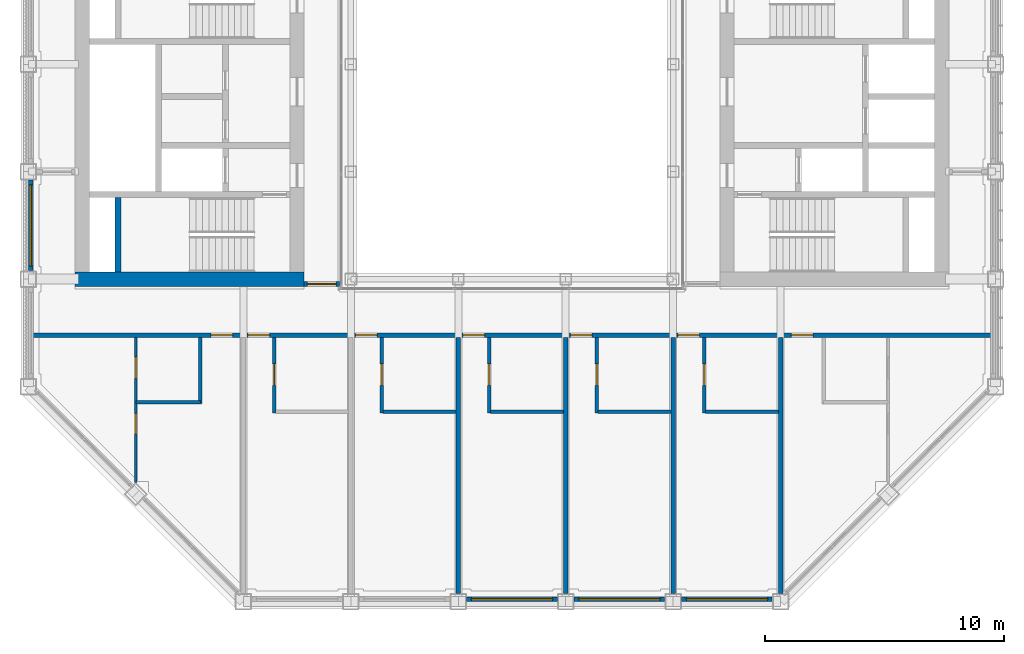
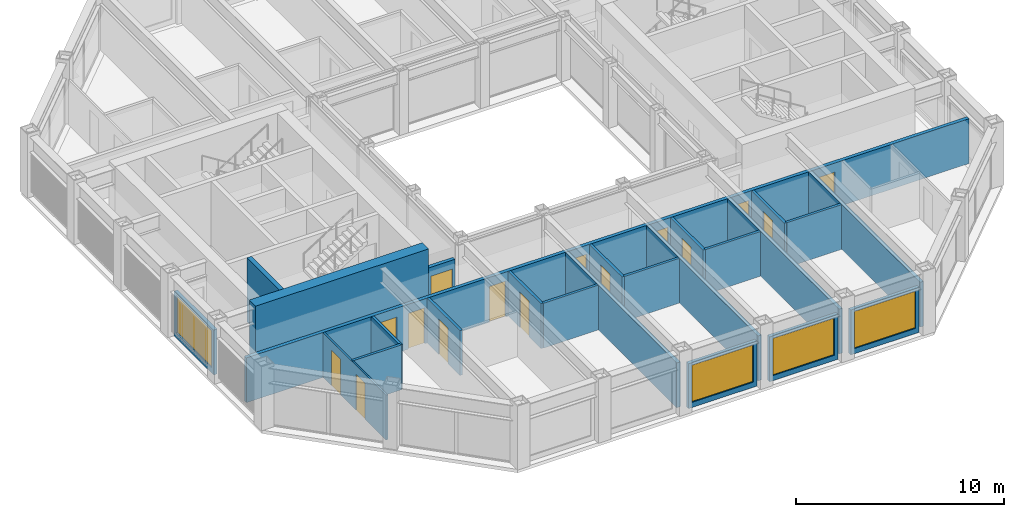
# One storey, part 9 of 18: 24 walls, 15 doors, 4 windows, 19 openings.
"""IFC4 building model written with IfcOpenShell, lengths in metres."""

from ifc_helpers import new_model, si_unit, direction, frame, frame_2d, origin, place, context, subcontext, project, spatial, rectangle, extrude, material, layer, layer_set, type_object, element, fill, save


model = new_model("IFC4")

# Units and contexts
model_context = context("Model", 3, precision=1e-05, world=origin(), true_north=direction((0.0, 1.0)))
body_context = subcontext(model_context, "Body", "Model", "MODEL_VIEW")
ifc_project = project(units=[si_unit("LENGTHUNIT", "METRE"), si_unit("AREAUNIT", "SQUARE_METRE"), si_unit("VOLUMEUNIT", "CUBIC_METRE"), si_unit("PLANEANGLEUNIT", "RADIAN"), si_unit("MASSUNIT", "GRAM", prefix="KILO")], contexts=[model_context])

# Site, building, storey
site_placement = place(None, origin())
site = spatial("IfcSite", under=ifc_project, at=site_placement, CompositionType="ELEMENT")
building_placement = place(site_placement, origin())
building = spatial("IfcBuilding", under=site, at=building_placement, Name="Msasa Ring Tower", CompositionType="ELEMENT")
storey_placement = place(building_placement, frame((0.0, 0.0, 204.550048828125)))
storey = spatial("IfcBuildingStorey", under=building, at=storey_placement, Name="L53", CompositionType="ELEMENT", Elevation=204.550048828125)

# Walls
ifc_material_1 = material(Name="Concrete C60/75", Category="concrete")
ifc_layer_1 = layer(ifc_material_1, 0.60009765625)
ifc_layer_set_1 = layer_set([ifc_layer_1], Name="CW3 CORE WALL 600")
wall_type_1 = type_object("IfcWallType", Name="CW3 CORE WALL 600", PredefinedType="SHEAR", material=ifc_layer_set_1)
wall_1_placement = place(storey_placement, frame((-8.699951171875, -6.75, 0.0), z_axis=(0.0, 0.0, 1.0), x_axis=(-1.0, 0.0, 0.0)))
element("IfcWall", 1, at=wall_1_placement, inside=storey, type_object=wall_type_1, Name="W core wall S L53", PredefinedType="SHEAR", context=body_context, shape_type="SweptSolid", body=[
    extrude(rectangle(XDim=9.60009765625, YDim=0.60009765625, at=frame_2d((4.800048828125, 0.0))), origin(), (0.0, 0.0, 1.0), 3.75),
])
ifc_material_2 = material(Name="Concrete C60/75", Category="concrete")
ifc_layer_2 = layer(ifc_material_2, 0.25)
ifc_layer_set_2 = layer_set([ifc_layer_2], Name="CW4 CORE INNER WALL 250")
wall_type_2 = type_object("IfcWallType", Name="CW4 CORE INNER WALL 250", PredefinedType="SHEAR", material=ifc_layer_set_2)
wall_2_placement = place(storey_placement, frame((-16.5, -6.449951171875, 0.0), z_axis=(0.0, 0.0, 1.0), x_axis=(0.0, 1.0, 0.0)))
element("IfcWall", 2, at=wall_2_placement, inside=storey, type_object=wall_type_2, Name="W core wall RISERA L53", PredefinedType="SHEAR", context=body_context, shape_type="SweptSolid", body=[
    extrude(rectangle(XDim=3.125, YDim=0.25, at=frame_2d((1.5625, 0.0))), origin(), (0.0, 0.0, 1.0), 3.75),
])

# Wall, opening, window
ifc_material_3 = material(Name="Terracotta rainscreen on blockwork", Category="masonry")
ifc_layer_3 = layer(ifc_material_3, 0.199951171875)
ifc_layer_set_3 = layer_set([ifc_layer_3], Name="FW1 TERRACOTTA-LINED INFILL BAY WALL 200")
wall_type_3 = type_object("IfcWallType", Name="FW1 TERRACOTTA-LINED INFILL BAY WALL 200", PredefinedType="SOLIDWALL", material=ifc_layer_set_3)
wall_3_placement = place(storey_placement, frame((-1.89501953125, -20.14990234375, 0.0), z_axis=(0.0, 0.0, 1.0), x_axis=(1.0, 0.0, 0.0)))
wall_3 = element("IfcWall", 3, at=wall_3_placement, inside=storey, type_object=wall_type_3, Name="Infill bay wall S L53 02", PredefinedType="SOLIDWALL", context=body_context, shape_type="SweptSolid", body=[
    extrude(rectangle(XDim=3.7900390625, YDim=0.199951171875, at=frame_2d((1.89501953125, 0.0))), origin(), (0.0, 0.0, 1.0), 2.62890625),
])
opening_1_placement = place(wall_3_placement, frame((0.195068359375, 0.0, 0.300048828125)))
opening_1 = element("IfcOpeningElement", 4, at=opening_1_placement, cuts=wall_3, Name="Opening WN3", PredefinedType="OPENING", context=body_context, shape_type="SweptSolid", body=[
    extrude(rectangle(XDim=3.39990234375, YDim=2.178955078125, at=frame_2d((1.699951171875, 1.08935546875))), frame((0.0, 0.10986328125, 0.0), z_axis=(0.0, -1.0, 0.0), x_axis=(1.0, 0.0, 0.0)), (0.0, 0.0, 1.0), 0.219970703125),
])
ifc_material_4 = material(Name="Aluminium frame with clear glass", Category="aluminium")
window_type = type_object("IfcWindowType", Name="WN3 SUITE WINDOW 3400x2179", PartitioningType="SINGLE_PANEL", PredefinedType="WINDOW", material=ifc_material_4)
window_1_placement = place(opening_1_placement, origin())
window_1 = element("IfcWindow", 5, at=window_1_placement, inside=storey, type_object=window_type, Name="Window S L53 02", OverallHeight=2.178955078125, OverallWidth=3.39990234375, PartitioningType="SINGLE_PANEL", PredefinedType="WINDOW", context=body_context, shape_type="SweptSolid", body=[
    extrude(rectangle(XDim=3.39990234375, YDim=2.178955078125, at=frame_2d((1.699951171875, 1.08935546875))), frame((0.0, 0.030029296875, 0.0), z_axis=(0.0, -1.0, 0.0), x_axis=(1.0, 0.0, 0.0)), (0.0, 0.0, 1.0), 0.06005859375),
])
fill(opening_1, window_1)

wall_4_placement = place(storey_placement, frame((2.60498046875, -20.14990234375, 0.0), z_axis=(0.0, 0.0, 1.0), x_axis=(1.0, 0.0, 0.0)))
wall_4 = element("IfcWall", 6, at=wall_4_placement, inside=storey, type_object=wall_type_3, Name="Infill bay wall S L53 03", PredefinedType="SOLIDWALL", context=body_context, shape_type="SweptSolid", body=[
    extrude(rectangle(XDim=3.7900390625, YDim=0.199951171875, at=frame_2d((1.89501953125, 0.0))), origin(), (0.0, 0.0, 1.0), 2.62890625),
])
opening_2_placement = place(wall_4_placement, frame((0.195068359375, 0.0, 0.300048828125)))
opening_2 = element("IfcOpeningElement", 7, at=opening_2_placement, cuts=wall_4, Name="Opening WN3", PredefinedType="OPENING", context=body_context, shape_type="SweptSolid", body=[
    extrude(rectangle(XDim=3.39990234375, YDim=2.178955078125, at=frame_2d((1.699951171875, 1.08935546875))), frame((0.0, 0.10986328125, 0.0), z_axis=(0.0, -1.0, 0.0), x_axis=(1.0, 0.0, 0.0)), (0.0, 0.0, 1.0), 0.219970703125),
])
window_2_placement = place(opening_2_placement, origin())
window_2 = element("IfcWindow", 8, at=window_2_placement, inside=storey, type_object=window_type, Name="Window S L53 03", OverallHeight=2.178955078125, OverallWidth=3.39990234375, PartitioningType="SINGLE_PANEL", PredefinedType="WINDOW", context=body_context, shape_type="SweptSolid", body=[
    extrude(rectangle(XDim=3.39990234375, YDim=2.178955078125, at=frame_2d((1.699951171875, 1.08935546875))), frame((0.0, 0.030029296875, 0.0), z_axis=(0.0, -1.0, 0.0), x_axis=(1.0, 0.0, 0.0)), (0.0, 0.0, 1.0), 0.06005859375),
])
fill(opening_2, window_2)

wall_5_placement = place(storey_placement, frame((7.10498046875, -20.14990234375, 0.0), z_axis=(0.0, 0.0, 1.0), x_axis=(1.0, 0.0, 0.0)))
wall_5 = element("IfcWall", 9, at=wall_5_placement, inside=storey, type_object=wall_type_3, Name="Infill bay wall S L53 04", PredefinedType="SOLIDWALL", context=body_context, shape_type="SweptSolid", body=[
    extrude(rectangle(XDim=3.7900390625, YDim=0.199951171875, at=frame_2d((1.89501953125, 0.0))), origin(), (0.0, 0.0, 1.0), 2.62890625),
])
opening_3_placement = place(wall_5_placement, frame((0.195068359375, 0.0, 0.300048828125)))
opening_3 = element("IfcOpeningElement", 10, at=opening_3_placement, cuts=wall_5, Name="Opening WN3", PredefinedType="OPENING", context=body_context, shape_type="SweptSolid", body=[
    extrude(rectangle(XDim=3.39990234375, YDim=2.178955078125, at=frame_2d((1.699951171875, 1.08935546875))), frame((0.0, 0.10986328125, 0.0), z_axis=(0.0, -1.0, 0.0), x_axis=(1.0, 0.0, 0.0)), (0.0, 0.0, 1.0), 0.219970703125),
])
window_3_placement = place(opening_3_placement, origin())
window_3 = element("IfcWindow", 11, at=window_3_placement, inside=storey, type_object=window_type, Name="Window S L53 04", OverallHeight=2.178955078125, OverallWidth=3.39990234375, PartitioningType="SINGLE_PANEL", PredefinedType="WINDOW", context=body_context, shape_type="SweptSolid", body=[
    extrude(rectangle(XDim=3.39990234375, YDim=2.178955078125, at=frame_2d((1.699951171875, 1.08935546875))), frame((0.0, 0.030029296875, 0.0), z_axis=(0.0, -1.0, 0.0), x_axis=(1.0, 0.0, 0.0)), (0.0, 0.0, 1.0), 0.06005859375),
])
fill(opening_3, window_3)

wall_6_placement = place(storey_placement, frame((-20.14990234375, -6.39501953125, 0.0), z_axis=(0.0, 0.0, 1.0), x_axis=(0.0, 1.0, 0.0)))
wall_6 = element("IfcWall", 12, at=wall_6_placement, inside=storey, type_object=wall_type_3, Name="Infill bay wall W L53 22", PredefinedType="SOLIDWALL", context=body_context, shape_type="SweptSolid", body=[
    extrude(rectangle(XDim=3.7900390625, YDim=0.199951171875, at=frame_2d((1.89501953125, 0.0))), origin(), (0.0, 0.0, 1.0), 2.62890625),
])
opening_4_placement = place(wall_6_placement, frame((0.195068359375, 0.0, 0.300048828125)))
opening_4 = element("IfcOpeningElement", 13, at=opening_4_placement, cuts=wall_6, Name="Opening WN3", PredefinedType="OPENING", context=body_context, shape_type="SweptSolid", body=[
    extrude(rectangle(XDim=3.39990234375, YDim=2.178955078125, at=frame_2d((1.699951171875, 1.08935546875))), frame((0.0, 0.10986328125, 0.0), z_axis=(0.0, -1.0, 0.0), x_axis=(1.0, 0.0, 0.0)), (0.0, 0.0, 1.0), 0.219970703125),
])
window_4_placement = place(opening_4_placement, origin())
window_4 = element("IfcWindow", 14, at=window_4_placement, inside=storey, type_object=window_type, Name="Window W L53 22", OverallHeight=2.178955078125, OverallWidth=3.39990234375, PartitioningType="SINGLE_PANEL", PredefinedType="WINDOW", context=body_context, shape_type="SweptSolid", body=[
    extrude(rectangle(XDim=3.39990234375, YDim=2.178955078125, at=frame_2d((1.699951171875, 1.08935546875))), frame((0.0, 0.030029296875, 0.0), z_axis=(0.0, -1.0, 0.0), x_axis=(1.0, 0.0, 0.0)), (0.0, 0.0, 1.0), 0.06005859375),
])
fill(opening_4, window_4)

# Wall, opening, door
ifc_material_5 = material(Name="Concrete blockwork", Category="masonry")
ifc_layer_4 = layer(ifc_material_5, 0.199951171875)
ifc_layer_set_4 = layer_set([ifc_layer_4], Name="PT1 CORRIDOR WALL 200")
wall_type_4 = type_object("IfcWallType", Name="PT1 CORRIDOR WALL 200", PredefinedType="PARTITIONING", material=ifc_layer_set_4)
wall_7_placement = place(storey_placement, frame((-8.699951171875, -6.949951171875, 0.0), z_axis=(0.0, 0.0, 1.0), x_axis=(1.0, 0.0, 0.0)))
wall_7 = element("IfcWall", 15, at=wall_7_placement, inside=storey, type_object=wall_type_4, Name="Corridor wall L53-SDWS", PredefinedType="PARTITIONING", context=body_context, shape_type="SweptSolid", body=[
    extrude(rectangle(XDim=1.469970703125, YDim=0.199951171875, at=frame_2d((0.73486328125, 0.0))), origin(), (0.0, 0.0, 1.0), 2.62890625),
])
opening_5_placement = place(wall_7_placement, frame((0.135009765625, 0.0, 0.0)))
opening_5 = element("IfcOpeningElement", 16, at=opening_5_placement, cuts=wall_7, Name="Opening SA-031", PredefinedType="OPENING", context=body_context, shape_type="SweptSolid", body=[
    extrude(rectangle(XDim=1.199951171875, YDim=2.10009765625, at=frame_2d((0.60009765625, 1.050048828125))), frame((0.0, 0.10986328125, 0.0), z_axis=(0.0, -1.0, 0.0), x_axis=(1.0, 0.0, 0.0)), (0.0, 0.0, 1.0), 0.219970703125),
])
ifc_material_6 = material(Name="Timber door leaf in a steel frame", Category="steel")
door_type_1 = type_object("IfcDoorType", Name="D25 CORRIDOR PAIR OF SMOKE DOORS 1200x2100", OperationType="DOUBLE_DOOR_DOUBLE_SWING", PredefinedType="DOOR", material=ifc_material_6)
door_1_placement = place(opening_5_placement, origin())
door_1 = element("IfcDoor", 17, at=door_1_placement, inside=storey, type_object=door_type_1, Name="Door L53-SDWS", OperationType="DOUBLE_DOOR_DOUBLE_SWING", OverallHeight=2.10009765625, OverallWidth=1.199951171875, PredefinedType="DOOR", context=body_context, shape_type="SweptSolid", body=[
    extrude(rectangle(XDim=1.199951171875, YDim=2.10009765625, at=frame_2d((0.60009765625, 1.050048828125))), frame((0.0, 0.02490234375, 0.0), z_axis=(0.0, -1.0, 0.0), x_axis=(1.0, 0.0, 0.0)), (0.0, 0.0, 1.0), 0.050048828125),
])
fill(opening_5, door_1)

# Wall, openings, doors
wall_8_placement = place(storey_placement, frame((-20.050048828125, -9.10009765625, 0.0), z_axis=(0.0, 0.0, 1.0), x_axis=(1.0, 0.0, 0.0)))
wall_8 = element("IfcWall", 18, at=wall_8_placement, inside=storey, type_object=wall_type_4, Name="Corridor wall L53-CORRS0", PredefinedType="PARTITIONING", context=body_context, shape_type="SweptSolid", body=[
    extrude(rectangle(XDim=40.10009765625, YDim=0.199951171875, at=frame_2d((20.050048828125, 0.0))), origin(), (0.0, 0.0, 1.0), 2.62890625),
])
opening_6_placement = place(wall_8_placement, frame((9.0, 0.0, 0.0)))
opening_6 = element("IfcOpeningElement", 19, at=opening_6_placement, cuts=wall_8, Name="Opening SA-034", PredefinedType="OPENING", context=body_context, shape_type="SweptSolid", body=[
    extrude(rectangle(XDim=0.89990234375, YDim=2.10009765625, at=frame_2d((0.449951171875, 1.050048828125))), frame((0.0, 0.10986328125, 0.0), z_axis=(0.0, -1.0, 0.0), x_axis=(1.0, 0.0, 0.0)), (0.0, 0.0, 1.0), 0.219970703125),
])
opening_7_placement = place(wall_8_placement, frame((13.5, 0.0, 0.0)))
opening_7 = element("IfcOpeningElement", 20, at=opening_7_placement, cuts=wall_8, Name="Opening SA-035", PredefinedType="OPENING", context=body_context, shape_type="SweptSolid", body=[
    extrude(rectangle(XDim=0.89990234375, YDim=2.10009765625, at=frame_2d((0.449951171875, 1.050048828125))), frame((0.0, 0.10986328125, 0.0), z_axis=(0.0, -1.0, 0.0), x_axis=(1.0, 0.0, 0.0)), (0.0, 0.0, 1.0), 0.219970703125),
])
opening_8_placement = place(wall_8_placement, frame((18.0, 0.0, 0.0)))
opening_8 = element("IfcOpeningElement", 21, at=opening_8_placement, cuts=wall_8, Name="Opening SA-036", PredefinedType="OPENING", context=body_context, shape_type="SweptSolid", body=[
    extrude(rectangle(XDim=0.89990234375, YDim=2.10009765625, at=frame_2d((0.449951171875, 1.050048828125))), frame((0.0, 0.10986328125, 0.0), z_axis=(0.0, -1.0, 0.0), x_axis=(1.0, 0.0, 0.0)), (0.0, 0.0, 1.0), 0.219970703125),
])
opening_9_placement = place(wall_8_placement, frame((22.5, 0.0, 0.0)))
opening_9 = element("IfcOpeningElement", 22, at=opening_9_placement, cuts=wall_8, Name="Opening SA-037", PredefinedType="OPENING", context=body_context, shape_type="SweptSolid", body=[
    extrude(rectangle(XDim=0.89990234375, YDim=2.10009765625, at=frame_2d((0.449951171875, 1.050048828125))), frame((0.0, 0.10986328125, 0.0), z_axis=(0.0, -1.0, 0.0), x_axis=(1.0, 0.0, 0.0)), (0.0, 0.0, 1.0), 0.219970703125),
])
opening_10_placement = place(wall_8_placement, frame((27.0, 0.0, 0.0)))
opening_10 = element("IfcOpeningElement", 23, at=opening_10_placement, cuts=wall_8, Name="Opening SA-038", PredefinedType="OPENING", context=body_context, shape_type="SweptSolid", body=[
    extrude(rectangle(XDim=0.89990234375, YDim=2.10009765625, at=frame_2d((0.449951171875, 1.050048828125))), frame((0.0, 0.10986328125, 0.0), z_axis=(0.0, -1.0, 0.0), x_axis=(1.0, 0.0, 0.0)), (0.0, 0.0, 1.0), 0.219970703125),
])
opening_11_placement = place(wall_8_placement, frame((31.75, 0.0, 0.0)))
opening_11 = element("IfcOpeningElement", 24, at=opening_11_placement, cuts=wall_8, Name="Opening SA-039", PredefinedType="OPENING", context=body_context, shape_type="SweptSolid", body=[
    extrude(rectangle(XDim=0.89990234375, YDim=2.10009765625, at=frame_2d((0.449951171875, 1.050048828125))), frame((0.0, 0.10986328125, 0.0), z_axis=(0.0, -1.0, 0.0), x_axis=(1.0, 0.0, 0.0)), (0.0, 0.0, 1.0), 0.219970703125),
])
opening_12_placement = place(wall_8_placement, frame((7.449951171875, 0.0, 0.0)))
opening_12 = element("IfcOpeningElement", 25, at=opening_12_placement, cuts=wall_8, Name="Opening SA-033", PredefinedType="OPENING", context=body_context, shape_type="SweptSolid", body=[
    extrude(rectangle(XDim=0.89990234375, YDim=2.10009765625, at=frame_2d((0.449951171875, 1.050048828125))), frame((0.0, 0.10986328125, 0.0), z_axis=(0.0, -1.0, 0.0), x_axis=(1.0, 0.0, 0.0)), (0.0, 0.0, 1.0), 0.219970703125),
])
ifc_material_7 = material(Name="Timber door leaf in a steel frame", Category="steel")
door_type_2 = type_object("IfcDoorType", Name="D1 SINGLE DOOR TO CORRIDOR 900x2100", OperationType="SINGLE_SWING_LEFT", PredefinedType="DOOR", material=ifc_material_7)
door_2_placement = place(opening_6_placement, origin())
door_2 = element("IfcDoor", 26, at=door_2_placement, inside=storey, type_object=door_type_2, Name="Door L53-JS00", OperationType="SINGLE_SWING_LEFT", OverallHeight=2.10009765625, OverallWidth=0.89990234375, PredefinedType="DOOR", context=body_context, shape_type="SweptSolid", body=[
    extrude(rectangle(XDim=0.89990234375, YDim=2.10009765625, at=frame_2d((0.449951171875, 1.050048828125))), frame((0.0, 0.02490234375, 0.0), z_axis=(0.0, -1.0, 0.0), x_axis=(1.0, 0.0, 0.0)), (0.0, 0.0, 1.0), 0.050048828125),
])
fill(opening_6, door_2)
door_3_placement = place(opening_7_placement, origin())
door_3 = element("IfcDoor", 27, at=door_3_placement, inside=storey, type_object=door_type_2, Name="Door L53-JS01", OperationType="SINGLE_SWING_LEFT", OverallHeight=2.10009765625, OverallWidth=0.89990234375, PredefinedType="DOOR", context=body_context, shape_type="SweptSolid", body=[
    extrude(rectangle(XDim=0.89990234375, YDim=2.10009765625, at=frame_2d((0.449951171875, 1.050048828125))), frame((0.0, 0.02490234375, 0.0), z_axis=(0.0, -1.0, 0.0), x_axis=(1.0, 0.0, 0.0)), (0.0, 0.0, 1.0), 0.050048828125),
])
fill(opening_7, door_3)
door_4_placement = place(opening_8_placement, origin())
door_4 = element("IfcDoor", 28, at=door_4_placement, inside=storey, type_object=door_type_2, Name="Door L53-JS02", OperationType="SINGLE_SWING_LEFT", OverallHeight=2.10009765625, OverallWidth=0.89990234375, PredefinedType="DOOR", context=body_context, shape_type="SweptSolid", body=[
    extrude(rectangle(XDim=0.89990234375, YDim=2.10009765625, at=frame_2d((0.449951171875, 1.050048828125))), frame((0.0, 0.02490234375, 0.0), z_axis=(0.0, -1.0, 0.0), x_axis=(1.0, 0.0, 0.0)), (0.0, 0.0, 1.0), 0.050048828125),
])
fill(opening_8, door_4)
door_5_placement = place(opening_9_placement, origin())
door_5 = element("IfcDoor", 29, at=door_5_placement, inside=storey, type_object=door_type_2, Name="Door L53-JS03", OperationType="SINGLE_SWING_RIGHT", OverallHeight=2.10009765625, OverallWidth=0.89990234375, PredefinedType="DOOR", context=body_context, shape_type="SweptSolid", body=[
    extrude(rectangle(XDim=0.89990234375, YDim=2.10009765625, at=frame_2d((0.449951171875, 1.050048828125))), frame((0.0, 0.02490234375, 0.0), z_axis=(0.0, -1.0, 0.0), x_axis=(1.0, 0.0, 0.0)), (0.0, 0.0, 1.0), 0.050048828125),
])
fill(opening_9, door_5)
door_6_placement = place(opening_10_placement, origin())
door_6 = element("IfcDoor", 30, at=door_6_placement, inside=storey, type_object=door_type_2, Name="Door L53-JS04", OperationType="SINGLE_SWING_RIGHT", OverallHeight=2.10009765625, OverallWidth=0.89990234375, PredefinedType="DOOR", context=body_context, shape_type="SweptSolid", body=[
    extrude(rectangle(XDim=0.89990234375, YDim=2.10009765625, at=frame_2d((0.449951171875, 1.050048828125))), frame((0.0, 0.02490234375, 0.0), z_axis=(0.0, -1.0, 0.0), x_axis=(1.0, 0.0, 0.0)), (0.0, 0.0, 1.0), 0.050048828125),
])
fill(opening_10, door_6)
ifc_material_8 = material(Name="Timber door leaf in a steel frame", Category="steel")
door_type_3 = type_object("IfcDoorType", Name="D2 ENTRANCE DOOR 900x2100", OperationType="SINGLE_SWING_LEFT", PredefinedType="DOOR", material=ifc_material_8)
door_7_placement = place(opening_11_placement, origin())
door_7 = element("IfcDoor", 31, at=door_7_placement, inside=storey, type_object=door_type_3, Name="Door L53-CSSE", OperationType="SINGLE_SWING_RIGHT", OverallHeight=2.10009765625, OverallWidth=0.89990234375, PredefinedType="DOOR", context=body_context, shape_type="SweptSolid", body=[
    extrude(rectangle(XDim=0.89990234375, YDim=2.10009765625, at=frame_2d((0.449951171875, 1.050048828125))), frame((0.0, 0.02490234375, 0.0), z_axis=(0.0, -1.0, 0.0), x_axis=(1.0, 0.0, 0.0)), (0.0, 0.0, 1.0), 0.050048828125),
])
fill(opening_11, door_7)
door_8_placement = place(opening_12_placement, origin())
door_8 = element("IfcDoor", 32, at=door_8_placement, inside=storey, type_object=door_type_3, Name="Door L53-CSSW", OperationType="SINGLE_SWING_LEFT", OverallHeight=2.10009765625, OverallWidth=0.89990234375, PredefinedType="DOOR", context=body_context, shape_type="SweptSolid", body=[
    extrude(rectangle(XDim=0.89990234375, YDim=2.10009765625, at=frame_2d((0.449951171875, 1.050048828125))), frame((0.0, 0.02490234375, 0.0), z_axis=(0.0, -1.0, 0.0), x_axis=(1.0, 0.0, 0.0)), (0.0, 0.0, 1.0), 0.050048828125),
])
fill(opening_12, door_8)

ifc_material_9 = material(Name="Gypsum board on steel studs", Category="steel")
ifc_layer_5 = layer(ifc_material_9, 0.10009765625)
ifc_layer_set_5 = layer_set([ifc_layer_5], Name="PT2 STUD PARTITION 100")
wall_type_5 = type_object("IfcWallType", Name="PT2 STUD PARTITION 100", PredefinedType="PARTITIONING", material=ifc_layer_set_5)
wall_9_placement = place(storey_placement, frame((-15.75, -15.2548828125, 0.0), z_axis=(0.0, 0.0, 1.0), x_axis=(0.0, 1.0, 0.0)))
wall_9 = element("IfcWall", 33, at=wall_9_placement, inside=storey, type_object=wall_type_5, Name="Partition L53-CSSWP1", PredefinedType="PARTITIONING", context=body_context, shape_type="SweptSolid", body=[
    extrude(rectangle(XDim=6.054931640625, YDim=0.10009765625, at=frame_2d((3.02734375, 0.0))), origin(), (0.0, 0.0, 1.0), 2.62890625),
])
opening_13_placement = place(wall_9_placement, frame((2.030029296875, 0.0, 0.0)))
opening_13 = element("IfcOpeningElement", 34, at=opening_13_placement, cuts=wall_9, Name="Opening SA-047", PredefinedType="OPENING", context=body_context, shape_type="SweptSolid", body=[
    extrude(rectangle(XDim=0.85009765625, YDim=2.10009765625, at=frame_2d((0.425048828125, 1.050048828125))), frame((0.0, 0.06005859375, 0.0), z_axis=(0.0, -1.0, 0.0), x_axis=(1.0, 0.0, 0.0)), (0.0, 0.0, 1.0), 0.1201171875),
])
opening_14_placement = place(wall_9_placement, frame((4.35498046875, 0.0, 0.0)))
opening_14 = element("IfcOpeningElement", 35, at=opening_14_placement, cuts=wall_9, Name="Opening SA-040", PredefinedType="OPENING", context=body_context, shape_type="SweptSolid", body=[
    extrude(rectangle(XDim=0.89990234375, YDim=2.10009765625, at=frame_2d((0.449951171875, 1.050048828125))), frame((0.0, 0.06005859375, 0.0), z_axis=(0.0, -1.0, 0.0), x_axis=(1.0, 0.0, 0.0)), (0.0, 0.0, 1.0), 0.1201171875),
])
ifc_material_10 = material(Name="Timber door leaf in a steel frame", Category="steel")
door_type_4 = type_object("IfcDoorType", Name="D14 BEDROOM DOOR 850x2100", OperationType="SINGLE_SWING_LEFT", PredefinedType="DOOR", material=ifc_material_10)
door_9_placement = place(opening_13_placement, origin())
door_9 = element("IfcDoor", 36, at=door_9_placement, inside=storey, type_object=door_type_4, Name="Door L53-CSSWR1", OperationType="SINGLE_SWING_LEFT", OverallHeight=2.10009765625, OverallWidth=0.85009765625, PredefinedType="DOOR", context=body_context, shape_type="SweptSolid", body=[
    extrude(rectangle(XDim=0.85009765625, YDim=2.10009765625, at=frame_2d((0.425048828125, 1.050048828125))), frame((0.0, 0.02490234375, 0.0), z_axis=(0.0, -1.0, 0.0), x_axis=(1.0, 0.0, 0.0)), (0.0, 0.0, 1.0), 0.050048828125),
])
fill(opening_13, door_9)
ifc_material_11 = material(Name="Timber door leaf in a steel frame", Category="steel")
door_type_5 = type_object("IfcDoorType", Name="D3 BATHROOM DOOR 900x2100", OperationType="SINGLE_SWING_LEFT", PredefinedType="DOOR", material=ifc_material_11)
door_10_placement = place(opening_14_placement, origin())
door_10 = element("IfcDoor", 37, at=door_10_placement, inside=storey, type_object=door_type_5, Name="Door L53-CSSWB1", OperationType="SINGLE_SWING_RIGHT", OverallHeight=2.10009765625, OverallWidth=0.89990234375, PredefinedType="DOOR", context=body_context, shape_type="SweptSolid", body=[
    extrude(rectangle(XDim=0.89990234375, YDim=2.10009765625, at=frame_2d((0.449951171875, 1.050048828125))), frame((0.0, 0.02490234375, 0.0), z_axis=(0.0, -1.0, 0.0), x_axis=(1.0, 0.0, 0.0)), (0.0, 0.0, 1.0), 0.050048828125),
])
fill(opening_14, door_10)

# Walls
ifc_material_12 = material(Name="Dense concrete blockwork, plastered both faces", Category="masonry")
ifc_layer_6 = layer(ifc_material_12, 0.25)
ifc_layer_set_6 = layer_set([ifc_layer_6], Name="PT3 APARTMENT SEPARATING WALL 250")
wall_type_6 = type_object("IfcWallType", Name="PT3 APARTMENT SEPARATING WALL 250", PredefinedType="PARTITIONING", material=ifc_layer_set_6)
for number, where, z_axis, x_axis, name in (
    (38, (-2.25, -19.89990234375, 0.0), (0.0, 0.0, 1.0), (0.0, 1.0, 0.0), "Party wall L53-PWS-2.25"),
    (39, (2.25, -19.89990234375, 0.0), (0.0, 0.0, 1.0), (0.0, 1.0, 0.0), "Party wall L53-PWS+2.25"),
    (40, (6.75, -19.89990234375, 0.0), (0.0, 0.0, 1.0), (0.0, 1.0, 0.0), "Party wall L53-PWS+6.75"),
    (41, (11.25, -19.89990234375, 0.0), (0.0, 0.0, 1.0), (0.0, 1.0, 0.0), "Party wall L53-PWS+11.25"),
):
    element("IfcWall", number, at=place(storey_placement, frame(where, z_axis=z_axis, x_axis=x_axis)), inside=storey, type_object=wall_type_6, Name=name, PredefinedType="PARTITIONING", context=body_context, shape_type="SweptSolid", body=[
        extrude(rectangle(XDim=10.699951171875, YDim=0.199951171875, at=frame_2d((5.35009765625, 0.0))), origin(), (0.0, 0.0, 1.0), 2.62890625),
    ])

# Wall, opening, door
ifc_material_13 = material(Name="Moisture-resistant board on steel studs with a concealed cistern and pipe void, tiled", Category="steel")
ifc_layer_7 = layer(ifc_material_13, 0.14990234375)
ifc_layer_set_7 = layer_set([ifc_layer_7], Name="PT4 BATHROOM WET WALL 150")
wall_type_7 = type_object("IfcWallType", Name="PT4 BATHROOM WET WALL 150", PredefinedType="PARTITIONING", material=ifc_layer_set_7)
wall_10_placement = place(storey_placement, frame((-9.949951171875, -12.35009765625, 0.0), z_axis=(0.0, 0.0, 1.0), x_axis=(0.0, 1.0, 0.0)))
wall_10 = element("IfcWall", 42, at=wall_10_placement, inside=storey, type_object=wall_type_7, Name="Partition L53-JS00BX", PredefinedType="PARTITIONING", context=body_context, shape_type="SweptSolid", body=[
    extrude(rectangle(XDim=3.150146484375, YDim=0.14990234375, at=frame_2d((1.5751953125, 0.0))), origin(), (0.0, 0.0, 1.0), 2.62890625),
])
opening_15_placement = place(wall_10_placement, frame((1.14990234375, 0.0, 0.0)))
opening_15 = element("IfcOpeningElement", 43, at=opening_15_placement, cuts=wall_10, Name="Opening SA-042", PredefinedType="OPENING", context=body_context, shape_type="SweptSolid", body=[
    extrude(rectangle(XDim=0.89990234375, YDim=2.10009765625, at=frame_2d((0.449951171875, 1.050048828125))), frame((0.0, 0.0849609375, 0.0), z_axis=(0.0, -1.0, 0.0), x_axis=(1.0, 0.0, 0.0)), (0.0, 0.0, 1.0), 0.169921875),
])
door_11_placement = place(opening_15_placement, origin())
door_11 = element("IfcDoor", 44, at=door_11_placement, inside=storey, type_object=door_type_5, Name="Door L53-JS00B", OperationType="SINGLE_SWING_LEFT", OverallHeight=2.10009765625, OverallWidth=0.89990234375, PredefinedType="DOOR", context=body_context, shape_type="SweptSolid", body=[
    extrude(rectangle(XDim=0.89990234375, YDim=2.10009765625, at=frame_2d((0.449951171875, 1.050048828125))), frame((0.0, 0.02490234375, 0.0), z_axis=(0.0, -1.0, 0.0), x_axis=(1.0, 0.0, 0.0)), (0.0, 0.0, 1.0), 0.050048828125),
])
fill(opening_15, door_11)

wall_11_placement = place(storey_placement, frame((-5.449951171875, -12.35009765625, 0.0), z_axis=(0.0, 0.0, 1.0), x_axis=(0.0, 1.0, 0.0)))
wall_11 = element("IfcWall", 45, at=wall_11_placement, inside=storey, type_object=wall_type_7, Name="Partition L53-JS01BX", PredefinedType="PARTITIONING", context=body_context, shape_type="SweptSolid", body=[
    extrude(rectangle(XDim=3.150146484375, YDim=0.14990234375, at=frame_2d((1.5751953125, 0.0))), origin(), (0.0, 0.0, 1.0), 2.62890625),
])
opening_16_placement = place(wall_11_placement, frame((1.14990234375, 0.0, 0.0)))
opening_16 = element("IfcOpeningElement", 46, at=opening_16_placement, cuts=wall_11, Name="Opening SA-043", PredefinedType="OPENING", context=body_context, shape_type="SweptSolid", body=[
    extrude(rectangle(XDim=0.89990234375, YDim=2.10009765625, at=frame_2d((0.449951171875, 1.050048828125))), frame((0.0, 0.0849609375, 0.0), z_axis=(0.0, -1.0, 0.0), x_axis=(1.0, 0.0, 0.0)), (0.0, 0.0, 1.0), 0.169921875),
])
door_12_placement = place(opening_16_placement, origin())
door_12 = element("IfcDoor", 47, at=door_12_placement, inside=storey, type_object=door_type_5, Name="Door L53-JS01B", OperationType="SINGLE_SWING_LEFT", OverallHeight=2.10009765625, OverallWidth=0.89990234375, PredefinedType="DOOR", context=body_context, shape_type="SweptSolid", body=[
    extrude(rectangle(XDim=0.89990234375, YDim=2.10009765625, at=frame_2d((0.449951171875, 1.050048828125))), frame((0.0, 0.02490234375, 0.0), z_axis=(0.0, -1.0, 0.0), x_axis=(1.0, 0.0, 0.0)), (0.0, 0.0, 1.0), 0.050048828125),
])
fill(opening_16, door_12)

# Wall
wall_12_placement = place(storey_placement, frame((-5.39990234375, -12.300048828125, 0.0), z_axis=(0.0, 0.0, 1.0), x_axis=(1.0, 0.0, 0.0)))
element("IfcWall", 48, at=wall_12_placement, inside=storey, type_object=wall_type_7, Name="Partition L53-JS01BY", PredefinedType="PARTITIONING", context=body_context, shape_type="SweptSolid", body=[
    extrude(rectangle(XDim=3.0498046875, YDim=0.14990234375, at=frame_2d((1.52490234375, 0.0))), origin(), (0.0, 0.0, 1.0), 2.62890625),
])

# Wall, opening, door
wall_13_placement = place(storey_placement, frame((-0.949951171875, -12.35009765625, 0.0), z_axis=(0.0, 0.0, 1.0), x_axis=(0.0, 1.0, 0.0)))
wall_13 = element("IfcWall", 49, at=wall_13_placement, inside=storey, type_object=wall_type_7, Name="Partition L53-JS02BX", PredefinedType="PARTITIONING", context=body_context, shape_type="SweptSolid", body=[
    extrude(rectangle(XDim=3.150146484375, YDim=0.14990234375, at=frame_2d((1.5751953125, 0.0))), origin(), (0.0, 0.0, 1.0), 2.62890625),
])
opening_17_placement = place(wall_13_placement, frame((1.14990234375, 0.0, 0.0)))
opening_17 = element("IfcOpeningElement", 50, at=opening_17_placement, cuts=wall_13, Name="Opening SA-044", PredefinedType="OPENING", context=body_context, shape_type="SweptSolid", body=[
    extrude(rectangle(XDim=0.89990234375, YDim=2.10009765625, at=frame_2d((0.449951171875, 1.050048828125))), frame((0.0, 0.0849609375, 0.0), z_axis=(0.0, -1.0, 0.0), x_axis=(1.0, 0.0, 0.0)), (0.0, 0.0, 1.0), 0.169921875),
])
door_13_placement = place(opening_17_placement, origin())
door_13 = element("IfcDoor", 51, at=door_13_placement, inside=storey, type_object=door_type_5, Name="Door L53-JS02B", OperationType="SINGLE_SWING_LEFT", OverallHeight=2.10009765625, OverallWidth=0.89990234375, PredefinedType="DOOR", context=body_context, shape_type="SweptSolid", body=[
    extrude(rectangle(XDim=0.89990234375, YDim=2.10009765625, at=frame_2d((0.449951171875, 1.050048828125))), frame((0.0, 0.02490234375, 0.0), z_axis=(0.0, -1.0, 0.0), x_axis=(1.0, 0.0, 0.0)), (0.0, 0.0, 1.0), 0.050048828125),
])
fill(opening_17, door_13)

# Wall
wall_14_placement = place(storey_placement, frame((-0.89990234375, -12.300048828125, 0.0), z_axis=(0.0, 0.0, 1.0), x_axis=(1.0, 0.0, 0.0)))
element("IfcWall", 52, at=wall_14_placement, inside=storey, type_object=wall_type_7, Name="Partition L53-JS02BY", PredefinedType="PARTITIONING", context=body_context, shape_type="SweptSolid", body=[
    extrude(rectangle(XDim=3.0498046875, YDim=0.14990234375, at=frame_2d((1.52490234375, 0.0))), origin(), (0.0, 0.0, 1.0), 2.62890625),
])

# Wall, opening, door
wall_15_placement = place(storey_placement, frame((3.550048828125, -12.35009765625, 0.0), z_axis=(0.0, 0.0, 1.0), x_axis=(0.0, 1.0, 0.0)))
wall_15 = element("IfcWall", 53, at=wall_15_placement, inside=storey, type_object=wall_type_7, Name="Partition L53-JS03BX", PredefinedType="PARTITIONING", context=body_context, shape_type="SweptSolid", body=[
    extrude(rectangle(XDim=3.150146484375, YDim=0.14990234375, at=frame_2d((1.5751953125, 0.0))), origin(), (0.0, 0.0, 1.0), 2.62890625),
])
opening_18_placement = place(wall_15_placement, frame((1.14990234375, 0.0, 0.0)))
opening_18 = element("IfcOpeningElement", 54, at=opening_18_placement, cuts=wall_15, Name="Opening SA-045", PredefinedType="OPENING", context=body_context, shape_type="SweptSolid", body=[
    extrude(rectangle(XDim=0.89990234375, YDim=2.10009765625, at=frame_2d((0.449951171875, 1.050048828125))), frame((0.0, 0.0849609375, 0.0), z_axis=(0.0, -1.0, 0.0), x_axis=(1.0, 0.0, 0.0)), (0.0, 0.0, 1.0), 0.169921875),
])
door_14_placement = place(opening_18_placement, origin())
door_14 = element("IfcDoor", 55, at=door_14_placement, inside=storey, type_object=door_type_5, Name="Door L53-JS03B", OperationType="SINGLE_SWING_LEFT", OverallHeight=2.10009765625, OverallWidth=0.89990234375, PredefinedType="DOOR", context=body_context, shape_type="SweptSolid", body=[
    extrude(rectangle(XDim=0.89990234375, YDim=2.10009765625, at=frame_2d((0.449951171875, 1.050048828125))), frame((0.0, 0.02490234375, 0.0), z_axis=(0.0, -1.0, 0.0), x_axis=(1.0, 0.0, 0.0)), (0.0, 0.0, 1.0), 0.050048828125),
])
fill(opening_18, door_14)

# Wall
wall_16_placement = place(storey_placement, frame((3.60009765625, -12.300048828125, 0.0), z_axis=(0.0, 0.0, 1.0), x_axis=(1.0, 0.0, 0.0)))
element("IfcWall", 56, at=wall_16_placement, inside=storey, type_object=wall_type_7, Name="Partition L53-JS03BY", PredefinedType="PARTITIONING", context=body_context, shape_type="SweptSolid", body=[
    extrude(rectangle(XDim=3.0498046875, YDim=0.14990234375, at=frame_2d((1.52490234375, 0.0))), origin(), (0.0, 0.0, 1.0), 2.62890625),
])

# Wall, opening, door
wall_17_placement = place(storey_placement, frame((8.050048828125, -12.35009765625, 0.0), z_axis=(0.0, 0.0, 1.0), x_axis=(0.0, 1.0, 0.0)))
wall_17 = element("IfcWall", 57, at=wall_17_placement, inside=storey, type_object=wall_type_7, Name="Partition L53-JS04BX", PredefinedType="PARTITIONING", context=body_context, shape_type="SweptSolid", body=[
    extrude(rectangle(XDim=3.150146484375, YDim=0.14990234375, at=frame_2d((1.5751953125, 0.0))), origin(), (0.0, 0.0, 1.0), 2.62890625),
])
opening_19_placement = place(wall_17_placement, frame((1.14990234375, 0.0, 0.0)))
opening_19 = element("IfcOpeningElement", 58, at=opening_19_placement, cuts=wall_17, Name="Opening SA-046", PredefinedType="OPENING", context=body_context, shape_type="SweptSolid", body=[
    extrude(rectangle(XDim=0.89990234375, YDim=2.10009765625, at=frame_2d((0.449951171875, 1.050048828125))), frame((0.0, 0.0849609375, 0.0), z_axis=(0.0, -1.0, 0.0), x_axis=(1.0, 0.0, 0.0)), (0.0, 0.0, 1.0), 0.169921875),
])
door_15_placement = place(opening_19_placement, origin())
door_15 = element("IfcDoor", 59, at=door_15_placement, inside=storey, type_object=door_type_5, Name="Door L53-JS04B", OperationType="SINGLE_SWING_LEFT", OverallHeight=2.10009765625, OverallWidth=0.89990234375, PredefinedType="DOOR", context=body_context, shape_type="SweptSolid", body=[
    extrude(rectangle(XDim=0.89990234375, YDim=2.10009765625, at=frame_2d((0.449951171875, 1.050048828125))), frame((0.0, 0.02490234375, 0.0), z_axis=(0.0, -1.0, 0.0), x_axis=(1.0, 0.0, 0.0)), (0.0, 0.0, 1.0), 0.050048828125),
])
fill(opening_19, door_15)

# Walls
wall_18_placement = place(storey_placement, frame((8.10009765625, -12.300048828125, 0.0), z_axis=(0.0, 0.0, 1.0), x_axis=(1.0, 0.0, 0.0)))
element("IfcWall", 60, at=wall_18_placement, inside=storey, type_object=wall_type_7, Name="Partition L53-JS04BY", PredefinedType="PARTITIONING", context=body_context, shape_type="SweptSolid", body=[
    extrude(rectangle(XDim=3.0498046875, YDim=0.14990234375, at=frame_2d((1.52490234375, 0.0))), origin(), (0.0, 0.0, 1.0), 2.62890625),
])
wall_19_placement = place(storey_placement, frame((-13.050048828125, -11.949951171875, 0.0), z_axis=(0.0, 0.0, 1.0), x_axis=(0.0, 1.0, 0.0)))
element("IfcWall", 61, at=wall_19_placement, inside=storey, type_object=wall_type_7, Name="Partition L53-CSSWBX", PredefinedType="PARTITIONING", context=body_context, shape_type="SweptSolid", body=[
    extrude(rectangle(XDim=2.75, YDim=0.14990234375, at=frame_2d((1.375, 0.0))), origin(), (0.0, 0.0, 1.0), 2.62890625),
])
wall_20_placement = place(storey_placement, frame((-15.75, -11.89990234375, 0.0), z_axis=(0.0, 0.0, 1.0), x_axis=(1.0, 0.0, 0.0)))
element("IfcWall", 62, at=wall_20_placement, inside=storey, type_object=wall_type_7, Name="Partition L53-CSSWBY", PredefinedType="PARTITIONING", context=body_context, shape_type="SweptSolid", body=[
    extrude(rectangle(XDim=2.699951171875, YDim=0.14990234375, at=frame_2d((1.35009765625, 0.0))), origin(), (0.0, 0.0, 1.0), 2.62890625),
])

save(model, "model.ifc")
